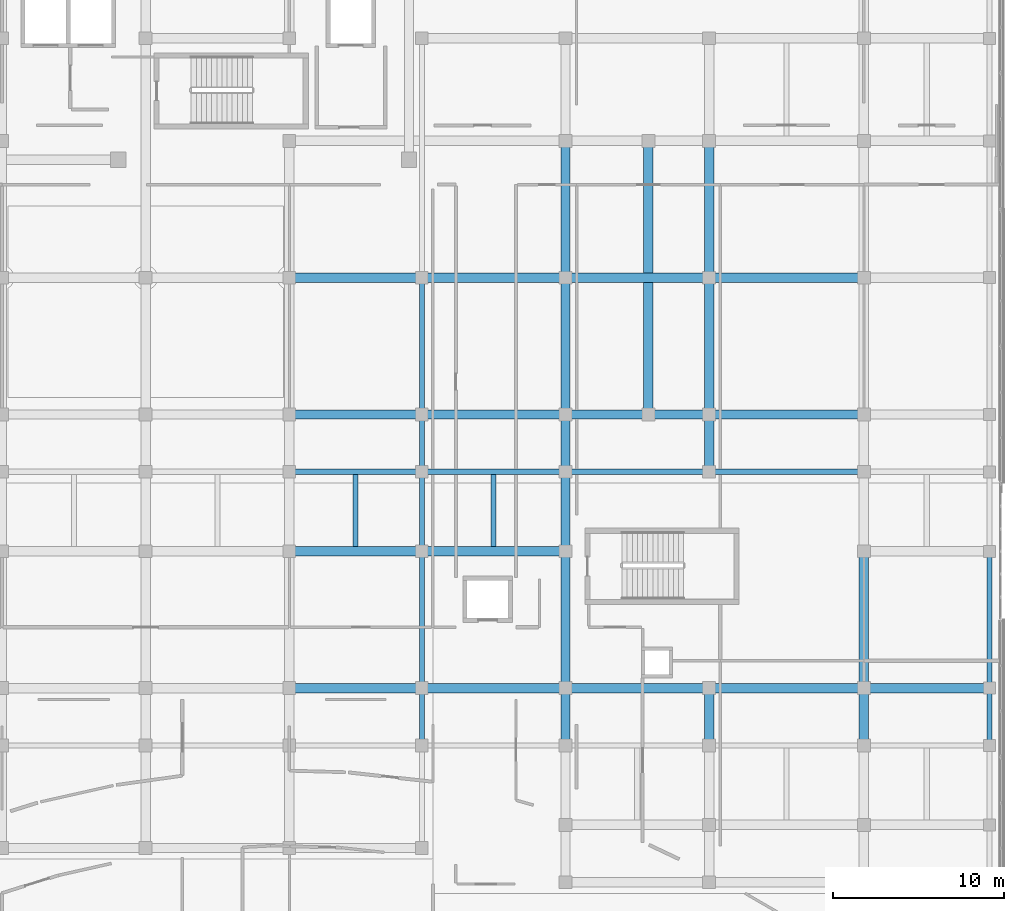
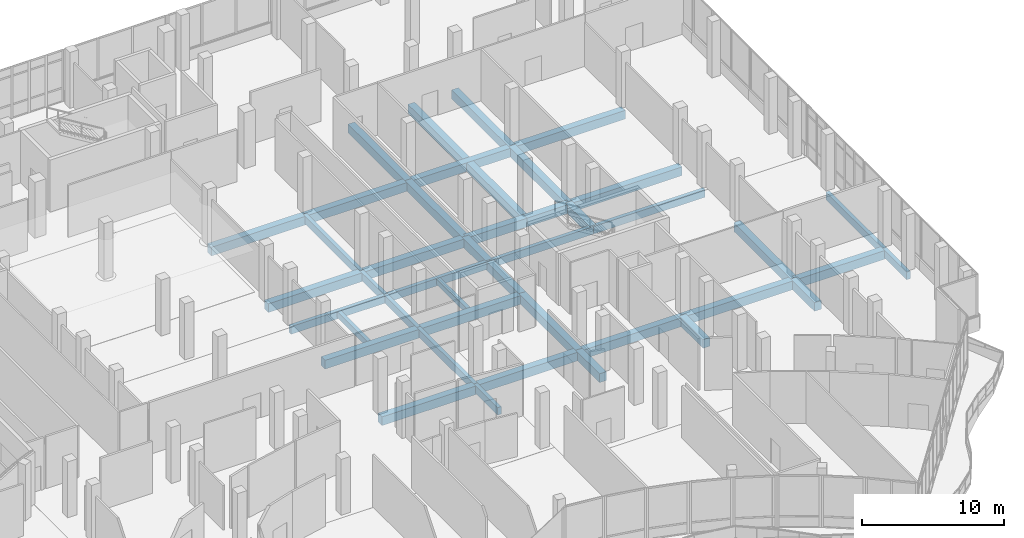
# One storey, part 102 of 155: 42 beams.
"""IFC4 building model written with IfcOpenShell, lengths in metres."""

from ifc_helpers import new_model, si_unit, direction, frame, origin, origin_2d, place, context, subcontext, project, spatial, rectangle, extrude, material, material_profile, profile_set, type_object, element, save


model = new_model("IFC4")

# Units and contexts
model_context = context("Model", 3, precision=1e-05, world=origin(), true_north=direction((0.0, 1.0)))
body_context = subcontext(model_context, "Body", "Model", "MODEL_VIEW")
ifc_project = project(units=[si_unit("LENGTHUNIT", "METRE"), si_unit("AREAUNIT", "SQUARE_METRE"), si_unit("VOLUMEUNIT", "CUBIC_METRE"), si_unit("PLANEANGLEUNIT", "RADIAN"), si_unit("MASSUNIT", "GRAM", prefix="KILO")], contexts=[model_context])

# Site, building, storey
site_placement = place(None, origin())
site = spatial("IfcSite", under=ifc_project, at=site_placement, CompositionType="ELEMENT")
building_placement = place(site_placement, origin())
building = spatial("IfcBuilding", under=site, at=building_placement, Name="Selatvlak General Hospital", CompositionType="ELEMENT")
storey_placement = place(building_placement, frame((0.0, 0.0, 10.199951171875)))
storey = spatial("IfcBuildingStorey", under=building, at=storey_placement, Name="L02", CompositionType="ELEMENT", Elevation=10.199951171875)

# Beams
ifc_material = material(Name="Concrete C40/50", Category="concrete")
ifc_material_profile_1 = material_profile(ifc_material, rectangle(XDim=0.550048828125, YDim=0.75, at=origin_2d()), Name="RC-BM 550x750")
ifc_profile_set_1 = profile_set([ifc_material_profile_1], Name="Concrete C40/50")
beam_type_1 = type_object("IfcBeamType", Name="BM-G02", PredefinedType="BEAM", material=ifc_profile_set_1)
beam_1_placement = place(storey_placement, frame((140.39990234375, 76.0, -0.72998046875), z_axis=(1.0, 0.0, 0.0), x_axis=(0.0, 1.0, 0.0)))
element("IfcBeam", 1, at=beam_1_placement, inside=storey, type_object=beam_type_1, Name="Beam BMR-L02-0801", PredefinedType="BEAM", context=body_context, shape_type="SweptSolid", body=[
    extrude(rectangle(XDim=0.550048828125, YDim=0.75, at=origin_2d()), origin(), (0.0, 0.0, 1.0), 7.75),
])
beam_2_placement = place(storey_placement, frame((148.14990234375, 76.0, -0.72998046875), z_axis=(1.0, 0.0, 0.0), x_axis=(0.0, 1.0, 0.0)))
element("IfcBeam", 2, at=beam_2_placement, inside=storey, type_object=beam_type_1, Name="Beam BMR-L02-0802", PredefinedType="BEAM", context=body_context, shape_type="SweptSolid", body=[
    extrude(rectangle(XDim=0.550048828125, YDim=0.75, at=origin_2d()), origin(), (0.0, 0.0, 1.0), 8.400146484375),
])
beam_3_placement = place(storey_placement, frame((156.550048828125, 76.0, -0.72998046875), z_axis=(1.0, 0.0, 0.0), x_axis=(0.0, 1.0, 0.0)))
element("IfcBeam", 3, at=beam_3_placement, inside=storey, type_object=beam_type_1, Name="Beam BMR-L02-0803", PredefinedType="BEAM", context=body_context, shape_type="SweptSolid", body=[
    extrude(rectangle(XDim=0.550048828125, YDim=0.75, at=origin_2d()), origin(), (0.0, 0.0, 1.0), 8.39990234375),
])
beam_4_placement = place(storey_placement, frame((164.949951171875, 76.0, -0.72998046875), z_axis=(1.0, 0.0, 0.0), x_axis=(0.0, 1.0, 0.0)))
element("IfcBeam", 4, at=beam_4_placement, inside=storey, type_object=beam_type_1, Name="Beam BMR-L02-0804", PredefinedType="BEAM", context=body_context, shape_type="SweptSolid", body=[
    extrude(rectangle(XDim=0.550048828125, YDim=0.75, at=origin_2d()), origin(), (0.0, 0.0, 1.0), 9.050048828125),
])
beam_5_placement = place(storey_placement, frame((174.0, 76.0, -0.72998046875), z_axis=(1.0, 0.0, 0.0), x_axis=(0.0, 1.0, 0.0)))
element("IfcBeam", 5, at=beam_5_placement, inside=storey, type_object=beam_type_1, Name="Beam BMR-L02-0805", PredefinedType="BEAM", context=body_context, shape_type="SweptSolid", body=[
    extrude(rectangle(XDim=0.550048828125, YDim=0.75, at=origin_2d()), origin(), (0.0, 0.0, 1.0), 7.35009765625),
])
beam_6_placement = place(storey_placement, frame((140.39990234375, 84.0, -0.72998046875), z_axis=(1.0, 0.0, 0.0), x_axis=(0.0, 1.0, 0.0)))
element("IfcBeam", 6, at=beam_6_placement, inside=storey, type_object=beam_type_1, Name="Beam BMR-L02-0815", PredefinedType="BEAM", context=body_context, shape_type="SweptSolid", body=[
    extrude(rectangle(XDim=0.550048828125, YDim=0.75, at=origin_2d()), origin(), (0.0, 0.0, 1.0), 7.75),
])
beam_7_placement = place(storey_placement, frame((148.14990234375, 84.0, -0.72998046875), z_axis=(1.0, 0.0, 0.0), x_axis=(0.0, 1.0, 0.0)))
element("IfcBeam", 7, at=beam_7_placement, inside=storey, type_object=beam_type_1, Name="Beam BMR-L02-0816", PredefinedType="BEAM", context=body_context, shape_type="SweptSolid", body=[
    extrude(rectangle(XDim=0.550048828125, YDim=0.75, at=origin_2d()), origin(), (0.0, 0.0, 1.0), 8.400146484375),
])
beam_8_placement = place(storey_placement, frame((140.39990234375, 92.0, -0.72998046875), z_axis=(1.0, 0.0, 0.0), x_axis=(0.0, 1.0, 0.0)))
element("IfcBeam", 8, at=beam_8_placement, inside=storey, type_object=beam_type_1, Name="Beam BMR-L02-0850", PredefinedType="BEAM", context=body_context, shape_type="SweptSolid", body=[
    extrude(rectangle(XDim=0.550048828125, YDim=0.75, at=origin_2d()), origin(), (0.0, 0.0, 1.0), 7.75),
])
beam_9_placement = place(storey_placement, frame((148.14990234375, 92.0, -0.72998046875), z_axis=(1.0, 0.0, 0.0), x_axis=(0.0, 1.0, 0.0)))
element("IfcBeam", 9, at=beam_9_placement, inside=storey, type_object=beam_type_1, Name="Beam BMR-L02-0851", PredefinedType="BEAM", context=body_context, shape_type="SweptSolid", body=[
    extrude(rectangle(XDim=0.550048828125, YDim=0.75, at=origin_2d()), origin(), (0.0, 0.0, 1.0), 8.400146484375),
])
beam_10_placement = place(storey_placement, frame((156.550048828125, 92.0, -0.72998046875), z_axis=(1.0, 0.0, 0.0), x_axis=(0.0, 1.0, 0.0)))
element("IfcBeam", 10, at=beam_10_placement, inside=storey, type_object=beam_type_1, Name="Beam BMR-L02-0852", PredefinedType="BEAM", context=body_context, shape_type="SweptSolid", body=[
    extrude(rectangle(XDim=0.550048828125, YDim=0.75, at=origin_2d()), origin(), (0.0, 0.0, 1.0), 4.849853515625),
])
beam_11_placement = place(storey_placement, frame((161.39990234375, 92.0, -0.72998046875), z_axis=(1.0, 0.0, 0.0), x_axis=(0.0, 1.0, 0.0)))
element("IfcBeam", 11, at=beam_11_placement, inside=storey, type_object=beam_type_1, Name="Beam BMR-L02-0853", PredefinedType="BEAM", context=body_context, shape_type="SweptSolid", body=[
    extrude(rectangle(XDim=0.550048828125, YDim=0.75, at=origin_2d()), origin(), (0.0, 0.0, 1.0), 3.550048828125),
])
beam_12_placement = place(storey_placement, frame((164.949951171875, 92.0, -0.72998046875), z_axis=(1.0, 0.0, 0.0), x_axis=(0.0, 1.0, 0.0)))
element("IfcBeam", 12, at=beam_12_placement, inside=storey, type_object=beam_type_1, Name="Beam BMR-L02-0854", PredefinedType="BEAM", context=body_context, shape_type="SweptSolid", body=[
    extrude(rectangle(XDim=0.550048828125, YDim=0.75, at=origin_2d()), origin(), (0.0, 0.0, 1.0), 9.050048828125),
])
beam_13_placement = place(storey_placement, frame((140.39990234375, 100.0, -0.72998046875), z_axis=(1.0, 0.0, 0.0), x_axis=(0.0, 1.0, 0.0)))
element("IfcBeam", 13, at=beam_13_placement, inside=storey, type_object=beam_type_1, Name="Beam BMR-L02-0871", PredefinedType="BEAM", context=body_context, shape_type="SweptSolid", body=[
    extrude(rectangle(XDim=0.550048828125, YDim=0.75, at=origin_2d()), origin(), (0.0, 0.0, 1.0), 7.75),
])
beam_14_placement = place(storey_placement, frame((148.14990234375, 100.0, -0.72998046875), z_axis=(1.0, 0.0, 0.0), x_axis=(0.0, 1.0, 0.0)))
element("IfcBeam", 14, at=beam_14_placement, inside=storey, type_object=beam_type_1, Name="Beam BMR-L02-0872", PredefinedType="BEAM", context=body_context, shape_type="SweptSolid", body=[
    extrude(rectangle(XDim=0.550048828125, YDim=0.75, at=origin_2d()), origin(), (0.0, 0.0, 1.0), 8.400146484375),
])
beam_15_placement = place(storey_placement, frame((156.550048828125, 100.0, -0.72998046875), z_axis=(1.0, 0.0, 0.0), x_axis=(0.0, 1.0, 0.0)))
element("IfcBeam", 15, at=beam_15_placement, inside=storey, type_object=beam_type_1, Name="Beam BMR-L02-0873", PredefinedType="BEAM", context=body_context, shape_type="SweptSolid", body=[
    extrude(rectangle(XDim=0.550048828125, YDim=0.75, at=origin_2d()), origin(), (0.0, 0.0, 1.0), 8.39990234375),
])
beam_16_placement = place(storey_placement, frame((164.949951171875, 100.0, -0.72998046875), z_axis=(1.0, 0.0, 0.0), x_axis=(0.0, 1.0, 0.0)))
element("IfcBeam", 16, at=beam_16_placement, inside=storey, type_object=beam_type_1, Name="Beam BMR-L02-0874", PredefinedType="BEAM", context=body_context, shape_type="SweptSolid", body=[
    extrude(rectangle(XDim=0.550048828125, YDim=0.75, at=origin_2d()), origin(), (0.0, 0.0, 1.0), 9.050048828125),
])
beam_17_placement = place(storey_placement, frame((156.550048828125, 72.64990234375, -0.72998046875), z_axis=(0.0, 1.0, 0.0), x_axis=(-1.0, 0.0, 0.0)))
element("IfcBeam", 17, at=beam_17_placement, inside=storey, type_object=beam_type_1, Name="Beam BMR-L02-1046", PredefinedType="BEAM", context=body_context, shape_type="SweptSolid", body=[
    extrude(rectangle(XDim=0.550048828125, YDim=0.75, at=origin_2d()), origin(), (0.0, 0.0, 1.0), 3.35009765625),
])
beam_18_placement = place(storey_placement, frame((156.550048828125, 76.0, -0.72998046875), z_axis=(0.0, 1.0, 0.0), x_axis=(-1.0, 0.0, 0.0)))
element("IfcBeam", 18, at=beam_18_placement, inside=storey, type_object=beam_type_1, Name="Beam BMR-L02-1047", PredefinedType="BEAM", context=body_context, shape_type="SweptSolid", body=[
    extrude(rectangle(XDim=0.550048828125, YDim=0.75, at=origin_2d()), origin(), (0.0, 0.0, 1.0), 8.0),
])
beam_19_placement = place(storey_placement, frame((156.550048828125, 84.0, -0.72998046875), z_axis=(0.0, 1.0, 0.0), x_axis=(-1.0, 0.0, 0.0)))
element("IfcBeam", 19, at=beam_19_placement, inside=storey, type_object=beam_type_1, Name="Beam BMR-L02-1048", PredefinedType="BEAM", context=body_context, shape_type="SweptSolid", body=[
    extrude(rectangle(XDim=0.550048828125, YDim=0.75, at=origin_2d()), origin(), (0.0, 0.0, 1.0), 4.64990234375),
])
beam_20_placement = place(storey_placement, frame((156.550048828125, 88.64990234375, -0.72998046875), z_axis=(0.0, 1.0, 0.0), x_axis=(-1.0, 0.0, 0.0)))
element("IfcBeam", 20, at=beam_20_placement, inside=storey, type_object=beam_type_1, Name="Beam BMR-L02-1049", PredefinedType="BEAM", context=body_context, shape_type="SweptSolid", body=[
    extrude(rectangle(XDim=0.550048828125, YDim=0.75, at=origin_2d()), origin(), (0.0, 0.0, 1.0), 3.35009765625),
])
for number, where, z_axis, x_axis, name in (
    (21, (156.550048828125, 92.0, -0.72998046875), (0.0, 1.0, 0.0), (-1.0, 0.0, 0.0), "Beam BMR-L02-1050"),
    (22, (156.550048828125, 100.0, -0.72998046875), (0.0, 1.0, 0.0), (-1.0, 0.0, 0.0), "Beam BMR-L02-1051"),
):
    element("IfcBeam", number, at=place(storey_placement, frame(where, z_axis=z_axis, x_axis=x_axis)), inside=storey, type_object=beam_type_1, Name=name, PredefinedType="BEAM", context=body_context, shape_type="SweptSolid", body=[
        extrude(rectangle(XDim=0.550048828125, YDim=0.75, at=origin_2d()), origin(), (0.0, 0.0, 1.0), 8.0),
    ])
beam_21_placement = place(storey_placement, frame((161.39990234375, 92.0, -0.72998046875), z_axis=(0.0, 1.0, 0.0), x_axis=(-1.0, 0.0, 0.0)))
element("IfcBeam", 23, at=beam_21_placement, inside=storey, type_object=beam_type_1, Name="Beam BMR-L02-1053", PredefinedType="BEAM", context=body_context, shape_type="SweptSolid", body=[
    extrude(rectangle(XDim=0.550048828125, YDim=0.75, at=origin_2d()), origin(), (0.0, 0.0, 1.0), 16.0),
])
for number, where, z_axis, x_axis, name in (
    (24, (164.949951171875, 72.64990234375, -0.72998046875), (0.0, 1.0, 0.0), (-1.0, 0.0, 0.0), "Beam BMR-L02-1056"),
    (25, (164.949951171875, 88.64990234375, -0.72998046875), (0.0, 1.0, 0.0), (-1.0, 0.0, 0.0), "Beam BMR-L02-1057"),
):
    element("IfcBeam", number, at=place(storey_placement, frame(where, z_axis=z_axis, x_axis=x_axis)), inside=storey, type_object=beam_type_1, Name=name, PredefinedType="BEAM", context=body_context, shape_type="SweptSolid", body=[
        extrude(rectangle(XDim=0.550048828125, YDim=0.75, at=origin_2d()), origin(), (0.0, 0.0, 1.0), 3.35009765625),
    ])
for number, where, z_axis, x_axis, name in (
    (26, (164.949951171875, 92.0, -0.72998046875), (0.0, 1.0, 0.0), (-1.0, 0.0, 0.0), "Beam BMR-L02-1058"),
    (27, (164.949951171875, 100.0, -0.72998046875), (0.0, 1.0, 0.0), (-1.0, 0.0, 0.0), "Beam BMR-L02-1059"),
):
    element("IfcBeam", number, at=place(storey_placement, frame(where, z_axis=z_axis, x_axis=x_axis)), inside=storey, type_object=beam_type_1, Name=name, PredefinedType="BEAM", context=body_context, shape_type="SweptSolid", body=[
        extrude(rectangle(XDim=0.550048828125, YDim=0.75, at=origin_2d()), origin(), (0.0, 0.0, 1.0), 8.0),
    ])
beam_22_placement = place(storey_placement, frame((174.0, 72.64990234375, -0.72998046875), z_axis=(0.0, 1.0, 0.0), x_axis=(-1.0, 0.0, 0.0)))
element("IfcBeam", 28, at=beam_22_placement, inside=storey, type_object=beam_type_1, Name="Beam BMR-L02-1063", PredefinedType="BEAM", context=body_context, shape_type="SweptSolid", body=[
    extrude(rectangle(XDim=0.550048828125, YDim=0.75, at=origin_2d()), origin(), (0.0, 0.0, 1.0), 3.35009765625),
])
beam_23_placement = place(storey_placement, frame((174.0, 76.0, -0.72998046875), z_axis=(0.0, 1.0, 0.0), x_axis=(-1.0, 0.0, 0.0)))
element("IfcBeam", 29, at=beam_23_placement, inside=storey, type_object=beam_type_1, Name="Beam BMR-L02-1064", PredefinedType="BEAM", context=body_context, shape_type="SweptSolid", body=[
    extrude(rectangle(XDim=0.550048828125, YDim=0.75, at=origin_2d()), origin(), (0.0, 0.0, 1.0), 8.0),
])
ifc_material_profile_2 = material_profile(ifc_material, rectangle(XDim=0.300048828125, YDim=0.5, at=origin_2d()), Name="RC-BM 300x500")
ifc_profile_set_2 = profile_set([ifc_material_profile_2], Name="Concrete C40/50")
beam_type_2 = type_object("IfcBeamType", Name="BM-J02", PredefinedType="JOIST", material=ifc_profile_set_2)
for number, where, z_axis, x_axis, name in (
    (30, (144.27490234375, 84.27490234375, -0.60498046875), (0.0, 1.0, 0.0), (-1.0, 0.0, 0.0), "Beam BMR-L02-1086"),
    (31, (152.35009765625, 84.27490234375, -0.60498046875), (0.0, 1.0, 0.0), (-1.0, 0.0, 0.0), "Beam BMR-L02-1087"),
):
    element("IfcBeam", number, at=place(storey_placement, frame(where, z_axis=z_axis, x_axis=x_axis)), inside=storey, type_object=beam_type_2, Name=name, PredefinedType="JOIST", context=body_context, shape_type="SweptSolid", body=[
        extrude(rectangle(XDim=0.300048828125, YDim=0.5, at=origin_2d()), origin(), (0.0, 0.0, 1.0), 4.22509765625),
    ])
ifc_material_profile_3 = material_profile(ifc_material, rectangle(XDim=0.300048828125, YDim=0.64990234375, at=origin_2d()), Name="RC-SP 300x650")
ifc_profile_set_3 = profile_set([ifc_material_profile_3], Name="Concrete C40/50")
beam_type_3 = type_object("IfcBeamType", Name="BM-SP1", PredefinedType="SPANDREL", material=ifc_profile_set_3)
beam_24_placement = place(storey_placement, frame((140.39990234375, 88.64990234375, -0.679931640625), z_axis=(1.0, 0.0, 0.0), x_axis=(0.0, 1.0, 0.0)))
element("IfcBeam", 32, at=beam_24_placement, inside=storey, type_object=beam_type_3, Name="Beam BMR-L02-0830", PredefinedType="SPANDREL", context=body_context, shape_type="SweptSolid", body=[
    extrude(rectangle(XDim=0.300048828125, YDim=0.64990234375, at=origin_2d()), origin(), (0.0, 0.0, 1.0), 7.75),
])
beam_25_placement = place(storey_placement, frame((148.14990234375, 88.64990234375, -0.679931640625), z_axis=(1.0, 0.0, 0.0), x_axis=(0.0, 1.0, 0.0)))
element("IfcBeam", 33, at=beam_25_placement, inside=storey, type_object=beam_type_3, Name="Beam BMR-L02-0831", PredefinedType="SPANDREL", context=body_context, shape_type="SweptSolid", body=[
    extrude(rectangle(XDim=0.300048828125, YDim=0.64990234375, at=origin_2d()), origin(), (0.0, 0.0, 1.0), 8.400146484375),
])
beam_26_placement = place(storey_placement, frame((156.550048828125, 88.64990234375, -0.679931640625), z_axis=(1.0, 0.0, 0.0), x_axis=(0.0, 1.0, 0.0)))
element("IfcBeam", 34, at=beam_26_placement, inside=storey, type_object=beam_type_3, Name="Beam BMR-L02-0832", PredefinedType="SPANDREL", context=body_context, shape_type="SweptSolid", body=[
    extrude(rectangle(XDim=0.300048828125, YDim=0.64990234375, at=origin_2d()), origin(), (0.0, 0.0, 1.0), 8.39990234375),
])
beam_27_placement = place(storey_placement, frame((164.949951171875, 88.64990234375, -0.679931640625), z_axis=(1.0, 0.0, 0.0), x_axis=(0.0, 1.0, 0.0)))
element("IfcBeam", 35, at=beam_27_placement, inside=storey, type_object=beam_type_3, Name="Beam BMR-L02-0833", PredefinedType="SPANDREL", context=body_context, shape_type="SweptSolid", body=[
    extrude(rectangle(XDim=0.300048828125, YDim=0.64990234375, at=origin_2d()), origin(), (0.0, 0.0, 1.0), 9.050048828125),
])
beam_28_placement = place(storey_placement, frame((148.14990234375, 72.64990234375, -0.679931640625), z_axis=(0.0, 1.0, 0.0), x_axis=(-1.0, 0.0, 0.0)))
element("IfcBeam", 36, at=beam_28_placement, inside=storey, type_object=beam_type_3, Name="Beam BMR-L02-1038", PredefinedType="SPANDREL", context=body_context, shape_type="SweptSolid", body=[
    extrude(rectangle(XDim=0.300048828125, YDim=0.64990234375, at=origin_2d()), origin(), (0.0, 0.0, 1.0), 3.35009765625),
])
beam_29_placement = place(storey_placement, frame((148.14990234375, 76.0, -0.679931640625), z_axis=(0.0, 1.0, 0.0), x_axis=(-1.0, 0.0, 0.0)))
element("IfcBeam", 37, at=beam_29_placement, inside=storey, type_object=beam_type_3, Name="Beam BMR-L02-1039", PredefinedType="SPANDREL", context=body_context, shape_type="SweptSolid", body=[
    extrude(rectangle(XDim=0.300048828125, YDim=0.64990234375, at=origin_2d()), origin(), (0.0, 0.0, 1.0), 8.0),
])
beam_30_placement = place(storey_placement, frame((148.14990234375, 84.0, -0.679931640625), z_axis=(0.0, 1.0, 0.0), x_axis=(-1.0, 0.0, 0.0)))
element("IfcBeam", 38, at=beam_30_placement, inside=storey, type_object=beam_type_3, Name="Beam BMR-L02-1040", PredefinedType="SPANDREL", context=body_context, shape_type="SweptSolid", body=[
    extrude(rectangle(XDim=0.300048828125, YDim=0.64990234375, at=origin_2d()), origin(), (0.0, 0.0, 1.0), 4.64990234375),
])
beam_31_placement = place(storey_placement, frame((148.14990234375, 88.64990234375, -0.679931640625), z_axis=(0.0, 1.0, 0.0), x_axis=(-1.0, 0.0, 0.0)))
element("IfcBeam", 39, at=beam_31_placement, inside=storey, type_object=beam_type_3, Name="Beam BMR-L02-1041", PredefinedType="SPANDREL", context=body_context, shape_type="SweptSolid", body=[
    extrude(rectangle(XDim=0.300048828125, YDim=0.64990234375, at=origin_2d()), origin(), (0.0, 0.0, 1.0), 3.35009765625),
])
beam_32_placement = place(storey_placement, frame((148.14990234375, 92.0, -0.679931640625), z_axis=(0.0, 1.0, 0.0), x_axis=(-1.0, 0.0, 0.0)))
element("IfcBeam", 40, at=beam_32_placement, inside=storey, type_object=beam_type_3, Name="Beam BMR-L02-1042", PredefinedType="SPANDREL", context=body_context, shape_type="SweptSolid", body=[
    extrude(rectangle(XDim=0.300048828125, YDim=0.64990234375, at=origin_2d()), origin(), (0.0, 0.0, 1.0), 8.0),
])
beam_33_placement = place(storey_placement, frame((181.35009765625, 72.64990234375, -0.679931640625), z_axis=(0.0, 1.0, 0.0), x_axis=(-1.0, 0.0, 0.0)))
element("IfcBeam", 41, at=beam_33_placement, inside=storey, type_object=beam_type_3, Name="Beam BMR-L02-1073", PredefinedType="SPANDREL", context=body_context, shape_type="SweptSolid", body=[
    extrude(rectangle(XDim=0.300048828125, YDim=0.64990234375, at=origin_2d()), origin(), (0.0, 0.0, 1.0), 3.35009765625),
])
beam_34_placement = place(storey_placement, frame((181.35009765625, 76.0, -0.679931640625), z_axis=(0.0, 1.0, 0.0), x_axis=(-1.0, 0.0, 0.0)))
element("IfcBeam", 42, at=beam_34_placement, inside=storey, type_object=beam_type_3, Name="Beam BMR-L02-1074", PredefinedType="SPANDREL", context=body_context, shape_type="SweptSolid", body=[
    extrude(rectangle(XDim=0.300048828125, YDim=0.64990234375, at=origin_2d()), origin(), (0.0, 0.0, 1.0), 8.0),
])

save(model, "model.ifc")
